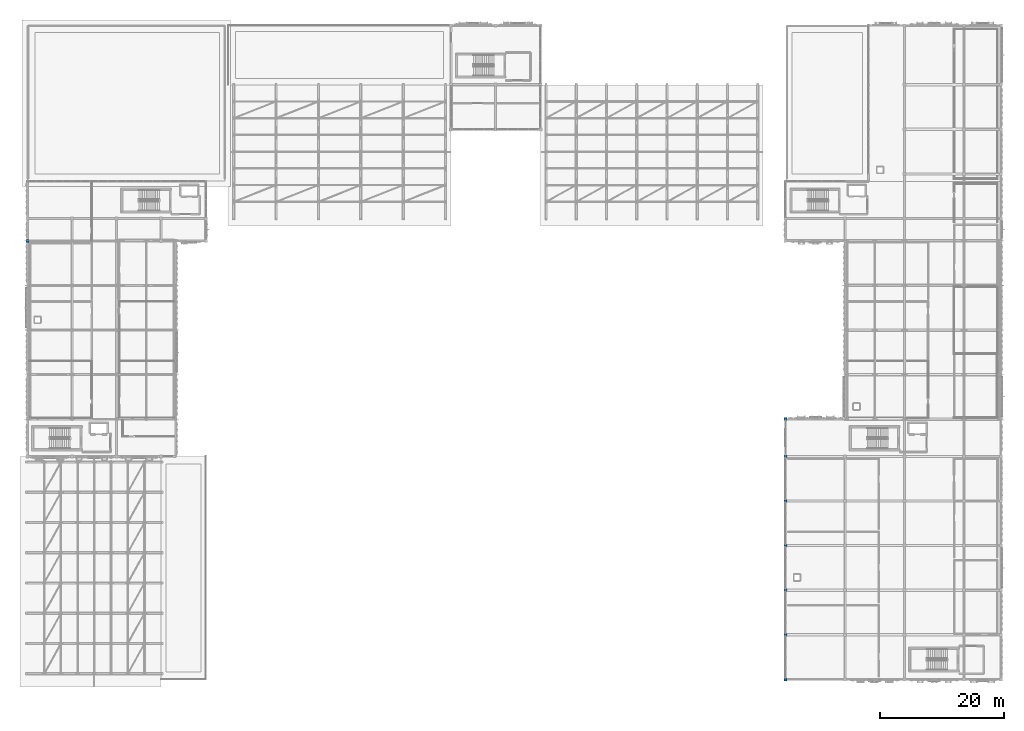
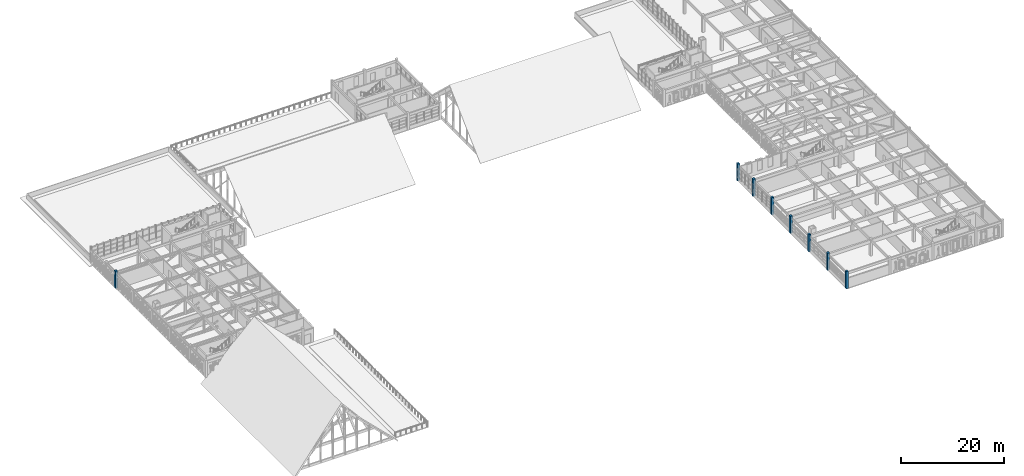
# One storey, part 2 of 79: 8 columns.
"""IFC4 building model written with IfcOpenShell, lengths in metres."""

from ifc_helpers import new_model, si_unit, direction, frame, origin, origin_2d, place, context, subcontext, project, spatial, rectangle, extrude, material, material_profile, profile_set, type_object, element, save


model = new_model("IFC4")

# Units and contexts
model_context = context("Model", 3, precision=1e-05, world=origin(), true_north=direction((0.0, 1.0)))
body_context = subcontext(model_context, "Body", "Model", "MODEL_VIEW")
ifc_project = project(units=[si_unit("LENGTHUNIT", "METRE"), si_unit("AREAUNIT", "SQUARE_METRE"), si_unit("VOLUMEUNIT", "CUBIC_METRE"), si_unit("PLANEANGLEUNIT", "RADIAN"), si_unit("MASSUNIT", "GRAM", prefix="KILO")], contexts=[model_context])

# Site, building, storey
site_placement = place(None, origin())
site = spatial("IfcSite", under=ifc_project, at=site_placement, CompositionType="ELEMENT")
building_placement = place(site_placement, origin())
building = spatial("IfcBuilding", under=site, at=building_placement, Name="Nzembalo Square Collegiate School", CompositionType="ELEMENT")
storey_placement = place(building_placement, frame((0.0, 0.0, 9.52001953125)))
storey = spatial("IfcBuildingStorey", under=building, at=storey_placement, Name="L02", CompositionType="ELEMENT", Elevation=9.52001953125)

# Columns
ifc_material = material(Name="Glulam GL28h", Category="wood")
ifc_material_profile = material_profile(ifc_material, rectangle(XDim=0.47998046875, YDim=0.47998046875, at=origin_2d()), Name="GL28h 480x480")
ifc_profile_set = profile_set([ifc_material_profile], Name="Glulam GL28h")
column_type = type_object("IfcColumnType", Name="C05", PredefinedType="COLUMN", material=ifc_profile_set)
for number, where, z_axis, x_axis, name in (
    (1, (8.39990234375, 79.199951171875, 0.0), (0.0, 0.0, 1.0), (1.0, 0.0, 0.0), "Column C05 L02 2/L"),
    (2, (130.800048828125, 8.39990234375, 0.0), (0.0, 0.0, 1.0), (1.0, 0.0, 0.0), "Column C05 L02 20/B"),
    (3, (130.800048828125, 15.60009765625, 0.0), (0.0, 0.0, 1.0), (1.0, 0.0, 0.0), "Column C05 L02 20/C"),
    (4, (130.800048828125, 22.800048828125, 0.0), (0.0, 0.0, 1.0), (1.0, 0.0, 0.0), "Column C05 L02 20/D"),
    (5, (130.800048828125, 30.0, 0.0), (0.0, 0.0, 1.0), (1.0, 0.0, 0.0), "Column C05 L02 20/E"),
    (6, (130.800048828125, 37.199951171875, 0.0), (0.0, 0.0, 1.0), (1.0, 0.0, 0.0), "Column C05 L02 20/F"),
    (7, (130.800048828125, 44.39990234375, 0.0), (0.0, 0.0, 1.0), (1.0, 0.0, 0.0), "Column C05 L02 20/G"),
    (8, (130.800048828125, 50.39990234375, 0.0), (0.0, 0.0, 1.0), (1.0, 0.0, 0.0), "Column C05 L02 20/H"),
):
    element("IfcColumn", number, at=place(storey_placement, frame(where, z_axis=z_axis, x_axis=x_axis)), inside=storey, type_object=column_type, Name=name, PredefinedType="COLUMN", context=body_context, shape_type="SweptSolid", body=[
        extrude(rectangle(XDim=0.47998046875, YDim=0.47998046875, at=origin_2d()), origin(), (0.0, 0.0, 1.0), 4.080078125),
    ])

save(model, "model.ifc")
